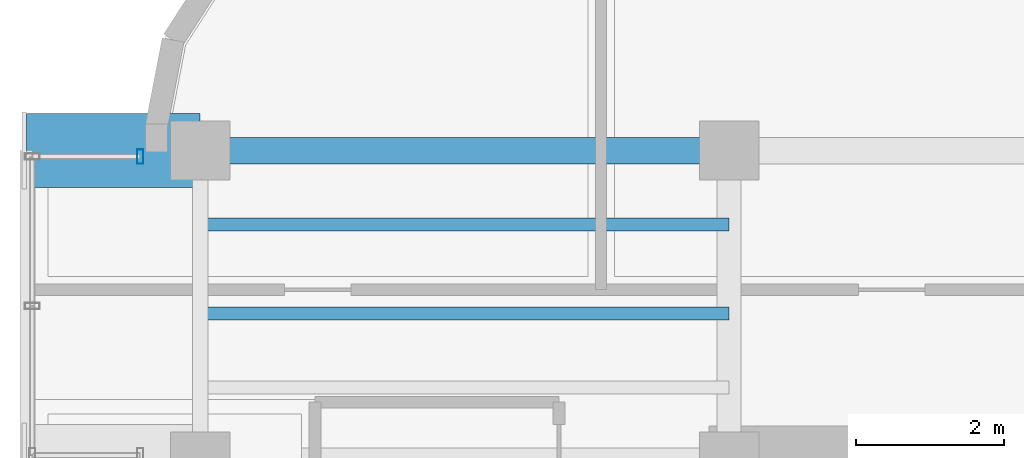
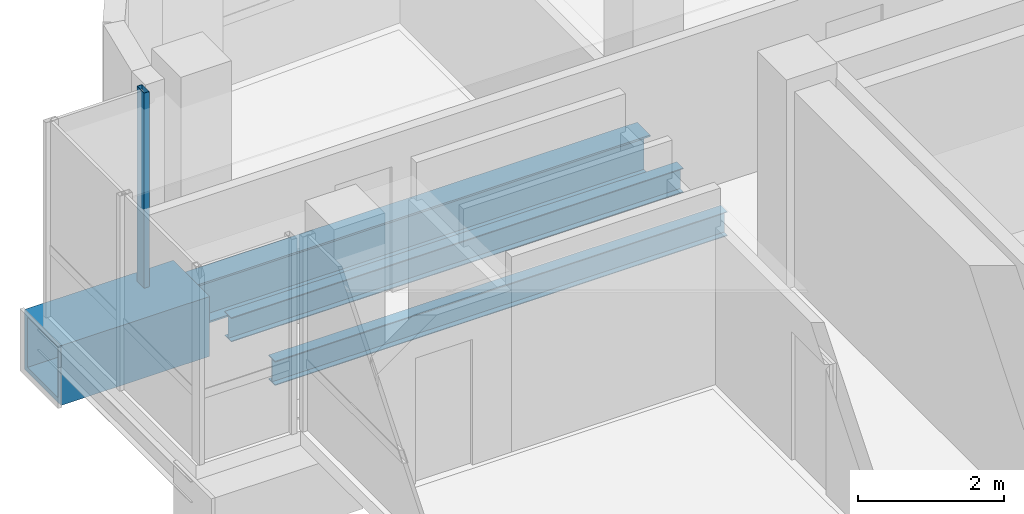
# One storey, part 8 of 21: 4 beams, 1 member, 1 element without a shape of its own.
"""IFC4 building model written with IfcOpenShell, lengths in metres."""

from ifc_helpers import new_model, si_unit, direction, frame, origin, origin_2d, place, context, subcontext, project, spatial, hollow_rectangle, i_section, extrude, source, transform, mapped, material, material_profile, profile_set, type_object, element, aggregate, save


model = new_model("IFC4")

# Units and contexts
model_context = context("Model", 3, precision=1e-05, world=origin(), true_north=direction((0.0, 1.0)))
body_context = subcontext(model_context, "Body", "Model", "MODEL_VIEW")
ifc_project = project(units=[si_unit("LENGTHUNIT", "METRE"), si_unit("AREAUNIT", "SQUARE_METRE"), si_unit("VOLUMEUNIT", "CUBIC_METRE"), si_unit("PLANEANGLEUNIT", "RADIAN"), si_unit("MASSUNIT", "GRAM", prefix="KILO")], contexts=[model_context])

# Site, building, storey
site_placement = place(None, origin())
site = spatial("IfcSite", under=ifc_project, at=site_placement, CompositionType="ELEMENT")
building_placement = place(site_placement, origin())
building = spatial("IfcBuilding", under=site, at=building_placement, Name="Valdorenza Pilgrim Sanctuary Tower", CompositionType="ELEMENT")
storey_placement = place(building_placement, frame((0.0, 0.0, 258.0)))
storey = spatial("IfcBuildingStorey", under=building, at=storey_placement, Name="L67", CompositionType="ELEMENT", Elevation=258.0)

# Beams
ifc_material_1 = material(Name="Steel ASTM A992 Grade 50", Category="steel")
ifc_material_profile_1 = material_profile(ifc_material_1, i_section(OverallWidth=0.35595703125, OverallDepth=0.700927734375, WebThickness=0.016845703125, FlangeThickness=0.02734375, at=origin_2d()), Name="W27X161")
ifc_profile_set_1 = profile_set([ifc_material_profile_1], Name="Steel ASTM A992 Grade 50")
beam_type_1 = type_object("IfcBeamType", Name="STR-BM-GRD-W27", PredefinedType="BEAM", material=ifc_profile_set_1)
shared_shape_1 = source(origin(), body_context, "Body", "SweptSolid", [
    extrude(i_section(OverallWidth=0.35595703125, OverallDepth=0.700927734375, WebThickness=0.016845703125, FlangeThickness=0.02734375, at=origin_2d()), origin(), (0.0, 0.0, 1.0), 7.150146484375),
])
beam_1_placement = place(storey_placement, frame((-29.800048828125, 14.800048828125, -0.590576171875), z_axis=(1.0, 0.0, 0.0), x_axis=(0.0, 1.0, 0.0)))
element("IfcBeam", 1, at=beam_1_placement, inside=storey, type_object=beam_type_1, Name="L67 Floor Girder WA-XW-N2", PredefinedType="BEAM", context=body_context, shape_type="MappedRepresentation", body=[
    mapped(shared_shape_1, transform((0.0, 0.0, 0.0), x_axis=(1.0, 0.0, 0.0), y_axis=(0.0, 1.0, 0.0), z_axis=(0.0, 0.0, 1.0), scale=1.0)),
])
ifc_material_profile_2 = material_profile(ifc_material_1, i_section(OverallWidth=0.177978515625, OverallDepth=0.406005859375, WebThickness=0.0078125, FlangeThickness=0.0126953125, at=origin_2d()), Name="W16X40")
ifc_profile_set_2 = profile_set([ifc_material_profile_2], Name="Steel ASTM A992 Grade 50")
beam_type_2 = type_object("IfcBeamType", Name="STR-BM-JST-W16", PredefinedType="JOIST", material=ifc_profile_set_2)
shared_shape_2 = source(origin(), body_context, "Body", "SweptSolid", [
    extrude(i_section(OverallWidth=0.177978515625, OverallDepth=0.406005859375, WebThickness=0.0078125, FlangeThickness=0.0126953125, at=origin_2d()), origin(), (0.0, 0.0, 1.0), 7.150146484375),
])
for number, where, z_axis, x_axis, name in (
    (2, (-29.800048828125, 12.60009765625, -0.443115234375), (1.0, 0.0, 0.0), (0.0, 1.0, 0.0), "L67 Composite Floor Joist JST-WA-25"),
    (3, (-29.800048828125, 13.800048828125, -0.443115234375), (1.0, 0.0, 0.0), (0.0, 1.0, 0.0), "L67 Composite Floor Joist JST-WA-26"),
):
    element("IfcBeam", number, at=place(storey_placement, frame(where, z_axis=z_axis, x_axis=x_axis)), inside=storey, type_object=beam_type_2, Name=name, PredefinedType="JOIST", context=body_context, shape_type="MappedRepresentation", body=[
        mapped(shared_shape_2, transform((0.0, 0.0, 0.0), x_axis=(1.0, 0.0, 0.0), y_axis=(0.0, 1.0, 0.0), z_axis=(0.0, 0.0, 1.0), scale=1.0)),
    ])
ifc_material_2 = material(Name="Steel ASTM A572 Grade 42", Category="steel")
ifc_material_profile_3 = material_profile(ifc_material_2, hollow_rectangle(XDim=1.0, YDim=1.0, WallThickness=0.080078125, at=origin_2d()), Name="BOX 1000x1000x80")
ifc_profile_set_3 = profile_set([ifc_material_profile_3], Name="Steel ASTM A572 Grade 42")
beam_type_3 = type_object("IfcBeamType", Name="STR-BM-PROW-CANT", PredefinedType="BEAM", material=ifc_profile_set_3)
shared_shape_3 = source(origin(), body_context, "Body", "SweptSolid", [
    extrude(hollow_rectangle(XDim=1.0, YDim=1.0, WallThickness=0.080078125, at=origin_2d()), origin(), (0.0, 0.0, 1.0), 2.349853515625),
])
beam_2_placement = place(storey_placement, frame((-29.800048828125, 14.800048828125, -0.739990234375), z_axis=(-1.0, 0.0, 0.0), x_axis=(0.0, -1.0, 0.0)))
element("IfcBeam", 4, at=beam_2_placement, inside=storey, type_object=beam_type_3, Name="L67 Glass Box Cantilever Beam BOX-WA-L67-CT-N", PredefinedType="BEAM", context=body_context, shape_type="MappedRepresentation", body=[
    mapped(shared_shape_3, transform((0.0, 0.0, 0.0), x_axis=(1.0, 0.0, 0.0), y_axis=(0.0, 1.0, 0.0), z_axis=(0.0, 0.0, 1.0), scale=1.0)),
])

# Curtain wall, member
ifc_material_3 = material(Name="Curtain-wall IGU glazing", Category="glass")
curtain_wall_type = type_object("IfcCurtainWallType", Name="CW-SYS-02", PredefinedType="NOTDEFINED", material=ifc_material_3)
curtain_wall_placement = place(storey_placement, origin())
curtain_wall = element("IfcCurtainWall", 5, at=curtain_wall_placement, inside=storey, type_object=curtain_wall_type, Name="L67 Curtain Wall CW-L67-BOX-WA-L67-N", PredefinedType="NOTDEFINED")
ifc_material_4 = material(Name="Anodised aluminium AW-6060", Category="aluminium")
ifc_material_profile_4 = material_profile(ifc_material_4, hollow_rectangle(XDim=0.0849609375, YDim=0.199951171875, WallThickness=0.0048828125, at=origin_2d()), Name="ALU-M 200x85x5")
ifc_profile_set_4 = profile_set([ifc_material_profile_4], Name="Anodised aluminium AW-6060")
member_type = type_object("IfcMemberType", Name="CW-MUL-02", PredefinedType="MULLION", material=ifc_profile_set_4)
shared_shape_4 = source(origin(), body_context, "Body", "SweptSolid", [
    extrude(hollow_rectangle(XDim=0.0849609375, YDim=0.199951171875, WallThickness=0.0048828125, at=origin_2d()), origin(), (0.0, 0.0, 1.0), 3.260009765625),
])
member_placement = place(storey_placement, frame((-30.610107421875, 14.719970703125, 0.0), z_axis=(0.0, 0.0, 1.0), x_axis=(1.0, 0.0, 0.0)))
member = element("IfcMember", 6, at=member_placement, type_object=member_type, Name="CW-L67-BOX-WA-L67-N Mullion 2", PredefinedType="MULLION", context=body_context, shape_type="MappedRepresentation", body=[
    mapped(shared_shape_4, transform((0.0, 0.0, 0.0), x_axis=(1.0, 0.0, 0.0), y_axis=(0.0, 1.0, 0.0), z_axis=(0.0, 0.0, 1.0), scale=1.0)),
])
aggregate(curtain_wall, [member])

save(model, "model.ifc")
